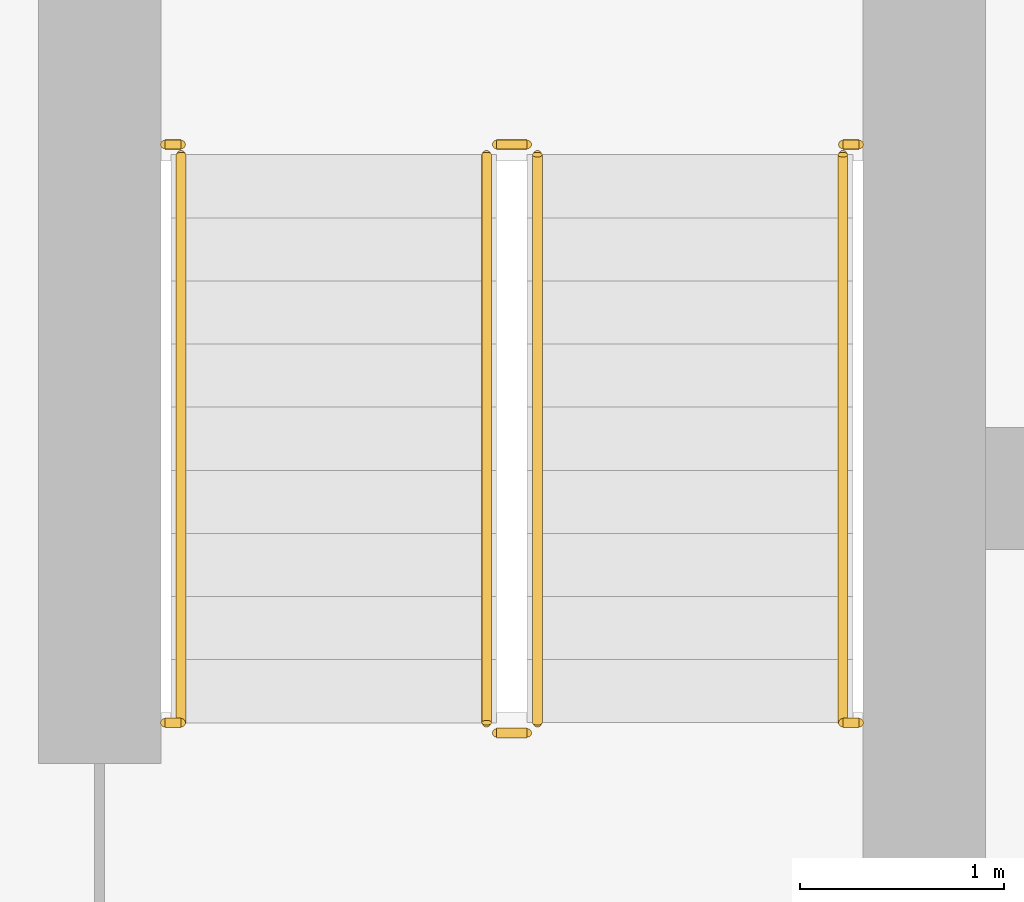
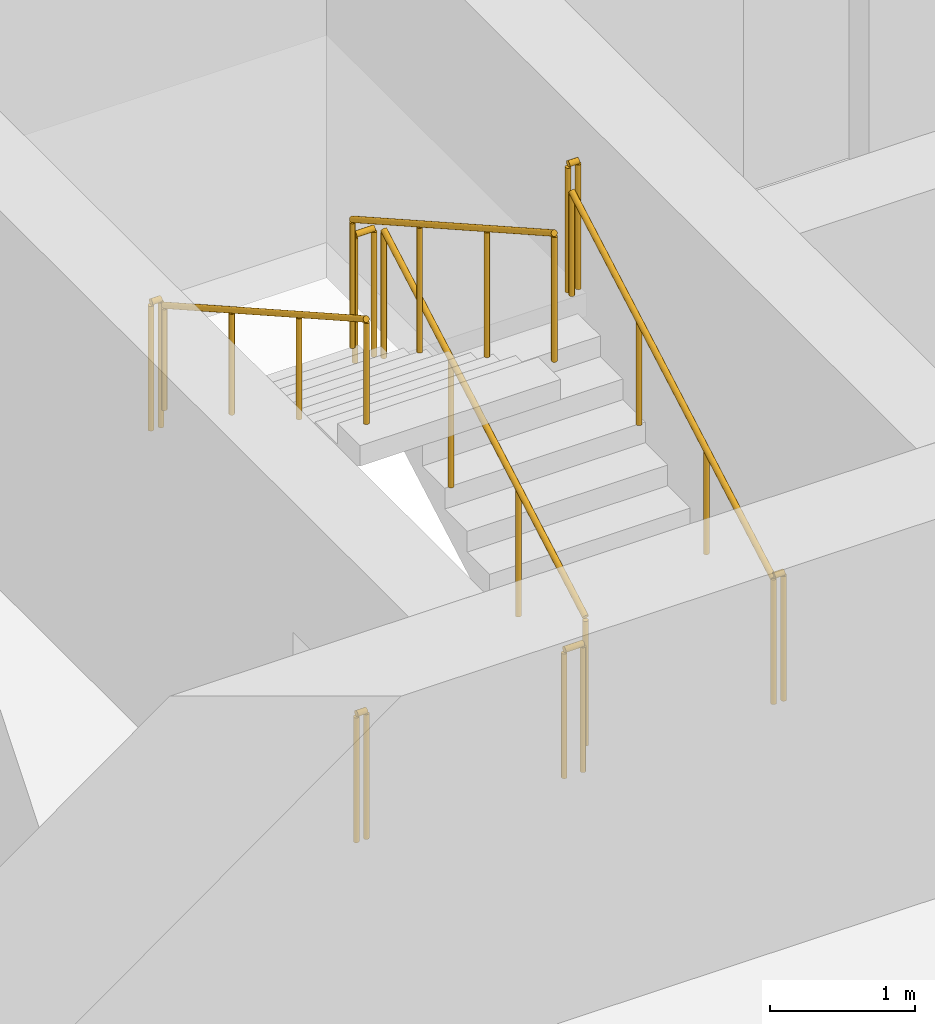
# One storey, part 18 of 22: 10 railings.
"""IFC4 building model written with IfcOpenShell, lengths in metres."""

from ifc_helpers import new_model, si_unit, direction, frame, origin, origin_2d, place, context, subcontext, project, spatial, circle, extrude, material, type_object, element, save


model = new_model("IFC4")

# Units and contexts
model_context = context("Model", 3, precision=1e-05, world=origin(), true_north=direction((0.0, 1.0)))
body_context = subcontext(model_context, "Body", "Model", "MODEL_VIEW")
ifc_project = project(units=[si_unit("LENGTHUNIT", "METRE"), si_unit("AREAUNIT", "SQUARE_METRE"), si_unit("VOLUMEUNIT", "CUBIC_METRE"), si_unit("PLANEANGLEUNIT", "RADIAN"), si_unit("MASSUNIT", "GRAM", prefix="KILO")], contexts=[model_context])

# Site, building, storey
site_placement = place(None, origin())
site = spatial("IfcSite", under=ifc_project, at=site_placement, CompositionType="ELEMENT")
building_placement = place(site_placement, origin())
building = spatial("IfcBuilding", under=site, at=building_placement, Name="Madar Terraces", CompositionType="ELEMENT")
storey_placement = place(building_placement, frame((0.0, 0.0, 159.5)))
storey = spatial("IfcBuildingStorey", under=building, at=storey_placement, Name="L41", CompositionType="ELEMENT", Elevation=159.5)

# Railings
ifc_material_1 = material(Name="Stainless steel railing", Category="steel")
railing_type_1 = type_object("IfcRailingType", Name="Stair guard 1100", PredefinedType="GUARDRAIL", material=ifc_material_1)
railing_1_placement = place(storey_placement, frame((21.199951171875, 17.60009765625, 0.175048828125)))
element("IfcRailing", 1, at=railing_1_placement, inside=storey, type_object=railing_type_1, Name="L41 ST1 stair guard 1", PredefinedType="GUARDRAIL", context=body_context, shape_type="SweptSolid", body=[
    extrude(circle(Radius=0.02392578125, at=origin_2d()), frame((0.0, 0.0, 1.076171875), z_axis=(0.0, 0.870815363784, 0.491610213684), x_axis=(-1.0, 0.0, 0.0)), (0.0, 0.0, 1.0), 3.20361328125),
    extrude(circle(Radius=0.02099609375, at=origin_2d()), origin(), (0.0, 0.0, 1.0), 1.052001953125),
    extrude(circle(Radius=0.02099609375, at=origin_2d()), frame((0.0, 0.929931640625, 0.52490234375)), (0.0, 0.0, 1.0), 1.052001953125),
    extrude(circle(Radius=0.02099609375, at=origin_2d()), frame((0.0, 1.85986328125, 1.050048828125)), (0.0, 0.0, 1.0), 1.052001953125),
    extrude(circle(Radius=0.02099609375, at=origin_2d()), frame((0.0, 2.789794921875, 1.574951171875)), (0.0, 0.0, 1.0), 1.052001953125),
])
railing_2_placement = place(storey_placement, frame((21.14990234375, 20.43994140625, 1.75)))
element("IfcRailing", 2, at=railing_2_placement, inside=storey, type_object=railing_type_1, Name="L41 ST1 stair guard 2", PredefinedType="GUARDRAIL", context=body_context, shape_type="SweptSolid", body=[
    extrude(circle(Radius=0.02392578125, at=origin_2d()), frame((0.0, 0.0, 1.076171875), z_axis=(-1.0, 0.0, 0.0), x_axis=(0.0, -1.0, 0.0)), (0.0, 0.0, 1.0), 0.14990234375),
    extrude(circle(Radius=0.02099609375, at=origin_2d()), origin(), (0.0, 0.0, 1.0), 1.052001953125),
    extrude(circle(Radius=0.02099609375, at=origin_2d()), frame((-0.14990234375, 0.0, 0.0)), (0.0, 0.0, 1.0), 1.052001953125),
])
railing_3_placement = place(storey_placement, frame((20.949951171875, 20.389892578125, 1.925048828125)))
element("IfcRailing", 3, at=railing_3_placement, inside=storey, type_object=railing_type_1, Name="L41 ST1 stair guard 3", PredefinedType="GUARDRAIL", context=body_context, shape_type="SweptSolid", body=[
    extrude(circle(Radius=0.02392578125, at=origin_2d()), frame((0.0, 0.0, 1.076171875), z_axis=(0.0, -0.870815363784, 0.491610213684), x_axis=(1.0, 0.0, 0.0)), (0.0, 0.0, 1.0), 3.20361328125),
    extrude(circle(Radius=0.02099609375, at=origin_2d()), origin(), (0.0, 0.0, 1.0), 1.052001953125),
    extrude(circle(Radius=0.02099609375, at=origin_2d()), frame((0.0, -0.929931640625, 0.52490234375)), (0.0, 0.0, 1.0), 1.052001953125),
    extrude(circle(Radius=0.02099609375, at=origin_2d()), frame((0.0, -1.85986328125, 1.050048828125)), (0.0, 0.0, 1.0), 1.052001953125),
    extrude(circle(Radius=0.02099609375, at=origin_2d()), frame((0.0, -2.789794921875, 1.574951171875)), (0.0, 0.0, 1.0), 1.052001953125),
])
railing_4_placement = place(storey_placement, frame((21.14990234375, 17.550048828125, 0.0)))
element("IfcRailing", 4, at=railing_4_placement, inside=storey, type_object=railing_type_1, Name="L41 ST1 stair guard 4", PredefinedType="GUARDRAIL", context=body_context, shape_type="SweptSolid", body=[
    extrude(circle(Radius=0.02392578125, at=origin_2d()), frame((0.0, 0.0, 1.076171875), z_axis=(-1.0, 0.0, 0.0), x_axis=(0.0, -1.0, 0.0)), (0.0, 0.0, 1.0), 0.14990234375),
    extrude(circle(Radius=0.02099609375, at=origin_2d()), origin(), (0.0, 0.0, 1.0), 1.052001953125),
    extrude(circle(Radius=0.02099609375, at=origin_2d()), frame((-0.14990234375, 0.0, 0.0)), (0.0, 0.0, 1.0), 1.052001953125),
])
railing_5_placement = place(storey_placement, frame((19.3701171875, 20.43994140625, 1.75)))
element("IfcRailing", 5, at=railing_5_placement, inside=storey, type_object=railing_type_1, Name="L41 stair guard seat 1", PredefinedType="GUARDRAIL", context=body_context, shape_type="SweptSolid", body=[
    extrude(circle(Radius=0.02392578125, at=origin_2d()), frame((0.0, 0.0, 1.076171875), z_axis=(1.0, 0.0, 0.0), x_axis=(0.0, 1.0, 0.0)), (0.0, 0.0, 1.0), 0.079833984375),
    extrude(circle(Radius=0.02099609375, at=origin_2d()), origin(), (0.0, 0.0, 1.0), 1.052001953125),
    extrude(circle(Radius=0.02099609375, at=origin_2d()), frame((0.079833984375, 0.0, 0.0)), (0.0, 0.0, 1.0), 1.052001953125),
])
railing_6_placement = place(storey_placement, frame((22.699951171875, 20.43994140625, 1.75)))
element("IfcRailing", 6, at=railing_6_placement, inside=storey, type_object=railing_type_1, Name="L41 stair guard seat 2", PredefinedType="GUARDRAIL", context=body_context, shape_type="SweptSolid", body=[
    extrude(circle(Radius=0.02392578125, at=origin_2d()), frame((0.0, 0.0, 1.076171875), z_axis=(1.0, 0.0, 0.0), x_axis=(0.0, 1.0, 0.0)), (0.0, 0.0, 1.0), 0.080078125),
    extrude(circle(Radius=0.02099609375, at=origin_2d()), origin(), (0.0, 0.0, 1.0), 1.052001953125),
    extrude(circle(Radius=0.02099609375, at=origin_2d()), frame((0.080078125, 0.0, 0.0)), (0.0, 0.0, 1.0), 1.052001953125),
])
railing_7_placement = place(storey_placement, frame((19.3701171875, 17.60009765625, 0.0)))
element("IfcRailing", 7, at=railing_7_placement, inside=storey, type_object=railing_type_1, Name="L41 stair guard floor 1", PredefinedType="GUARDRAIL", context=body_context, shape_type="SweptSolid", body=[
    extrude(circle(Radius=0.02392578125, at=origin_2d()), frame((0.0, 0.0, 1.076171875), z_axis=(1.0, 0.0, 0.0), x_axis=(0.0, 1.0, 0.0)), (0.0, 0.0, 1.0), 0.079833984375),
    extrude(circle(Radius=0.02099609375, at=origin_2d()), origin(), (0.0, 0.0, 1.0), 1.052001953125),
    extrude(circle(Radius=0.02099609375, at=origin_2d()), frame((0.079833984375, 0.0, 0.0)), (0.0, 0.0, 1.0), 1.052001953125),
])
railing_8_placement = place(storey_placement, frame((22.699951171875, 17.60009765625, 0.0)))
element("IfcRailing", 8, at=railing_8_placement, inside=storey, type_object=railing_type_1, Name="L41 stair guard floor 2", PredefinedType="GUARDRAIL", context=body_context, shape_type="SweptSolid", body=[
    extrude(circle(Radius=0.02392578125, at=origin_2d()), frame((0.0, 0.0, 1.076171875), z_axis=(1.0, 0.0, 0.0), x_axis=(0.0, 1.0, 0.0)), (0.0, 0.0, 1.0), 0.080078125),
    extrude(circle(Radius=0.02099609375, at=origin_2d()), origin(), (0.0, 0.0, 1.0), 1.052001953125),
    extrude(circle(Radius=0.02099609375, at=origin_2d()), frame((0.080078125, 0.0, 0.0)), (0.0, 0.0, 1.0), 1.052001953125),
])
ifc_material_2 = material(Name="Stainless steel railing", Category="steel")
railing_type_2 = type_object("IfcRailingType", Name="Stair handrail 900", PredefinedType="HANDRAIL", material=ifc_material_2)
railing_9_placement = place(storey_placement, frame((22.699951171875, 17.60009765625, 0.175048828125)))
element("IfcRailing", 9, at=railing_9_placement, inside=storey, type_object=railing_type_2, Name="L41 ST1 stair handrail 1", PredefinedType="HANDRAIL", context=body_context, shape_type="SweptSolid", body=[
    extrude(circle(Radius=0.02392578125, at=origin_2d()), frame((0.0, 0.0, 0.8759765625), z_axis=(0.0, 0.870815363784, 0.491610213684), x_axis=(-1.0, 0.0, 0.0)), (0.0, 0.0, 1.0), 3.20361328125),
    extrude(circle(Radius=0.02099609375, at=origin_2d()), origin(), (0.0, 0.0, 1.0), 0.851806640625),
    extrude(circle(Radius=0.02099609375, at=origin_2d()), frame((0.0, 0.929931640625, 0.52490234375)), (0.0, 0.0, 1.0), 0.851806640625),
    extrude(circle(Radius=0.02099609375, at=origin_2d()), frame((0.0, 1.85986328125, 1.050048828125)), (0.0, 0.0, 1.0), 0.851806640625),
    extrude(circle(Radius=0.02099609375, at=origin_2d()), frame((0.0, 2.789794921875, 1.574951171875)), (0.0, 0.0, 1.0), 0.851806640625),
])
railing_10_placement = place(storey_placement, frame((19.449951171875, 20.389892578125, 1.925048828125)))
element("IfcRailing", 10, at=railing_10_placement, inside=storey, type_object=railing_type_2, Name="L41 ST1 stair handrail 2", PredefinedType="HANDRAIL", context=body_context, shape_type="SweptSolid", body=[
    extrude(circle(Radius=0.02392578125, at=origin_2d()), frame((0.0, 0.0, 0.8759765625), z_axis=(0.0, -0.870815363784, 0.491610213684), x_axis=(1.0, 0.0, 0.0)), (0.0, 0.0, 1.0), 3.20361328125),
    extrude(circle(Radius=0.02099609375, at=origin_2d()), origin(), (0.0, 0.0, 1.0), 0.851806640625),
    extrude(circle(Radius=0.02099609375, at=origin_2d()), frame((0.0, -0.929931640625, 0.52490234375)), (0.0, 0.0, 1.0), 0.851806640625),
    extrude(circle(Radius=0.02099609375, at=origin_2d()), frame((0.0, -1.85986328125, 1.050048828125)), (0.0, 0.0, 1.0), 0.851806640625),
    extrude(circle(Radius=0.02099609375, at=origin_2d()), frame((0.0, -2.789794921875, 1.574951171875)), (0.0, 0.0, 1.0), 0.851806640625),
])

save(model, "model.ifc")
